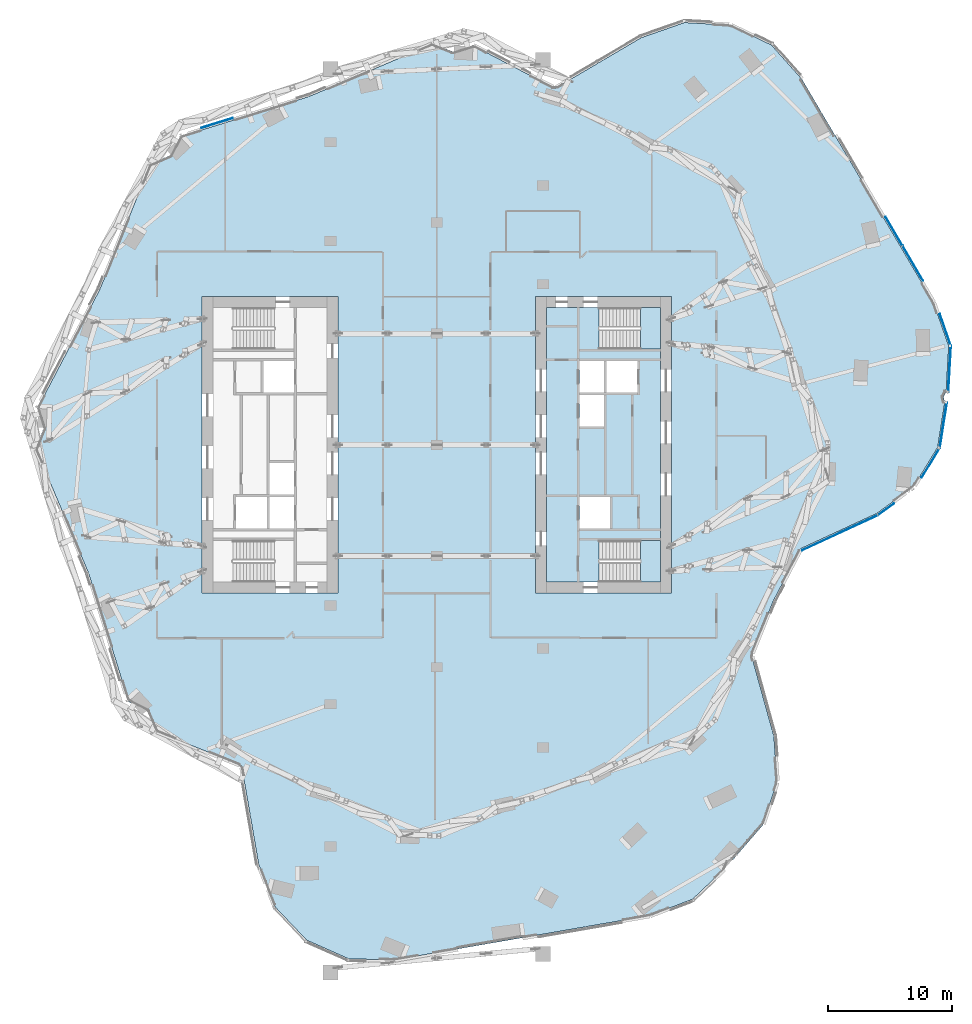
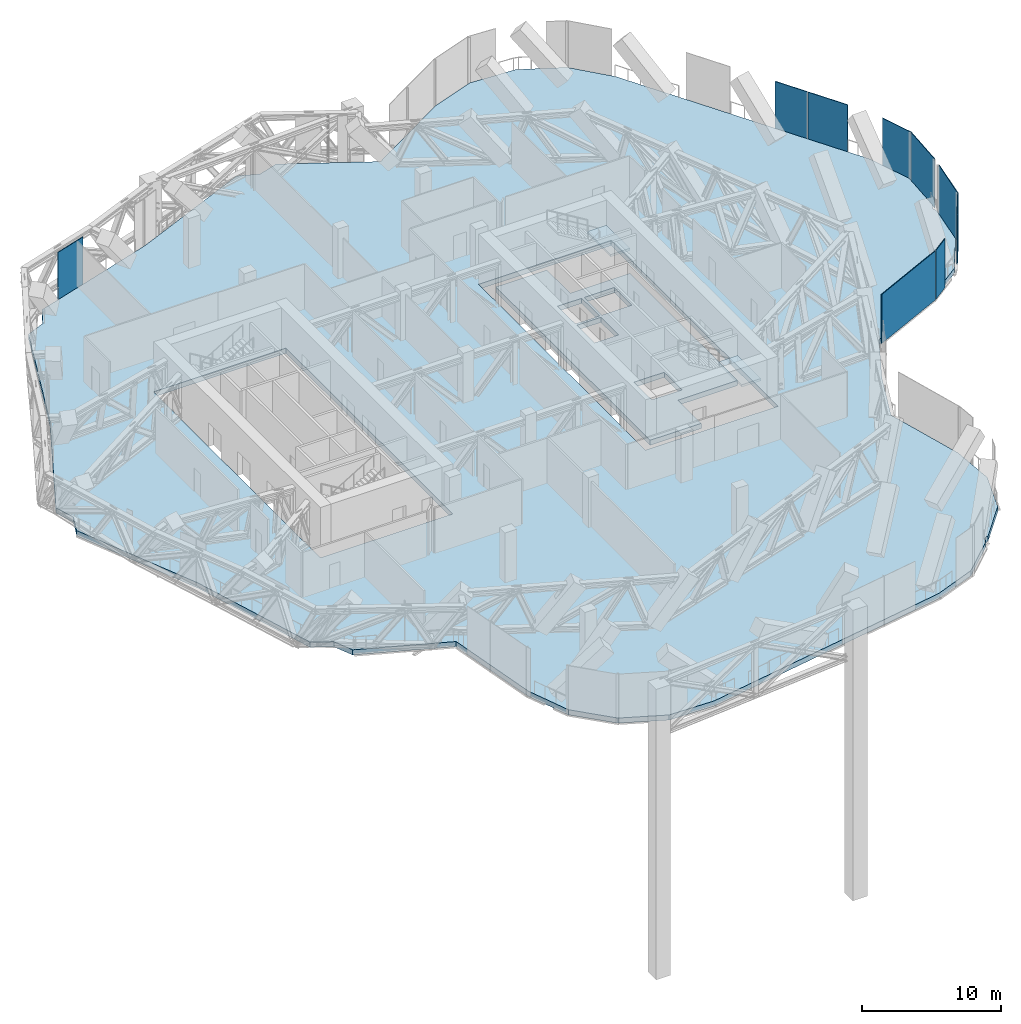
# One storey, part 20 of 31: 9 plates, 4 slabs, 10 elements without a shape of their own.
"""IFC4 building model written with IfcOpenShell, lengths in metres."""

import ifcopenshell
import ifcopenshell.guid

model = None  # the IFC model being written
_history = None  # IfcOwnerHistory: only IFC2X3 demands one
_inside = {}  # id of a spatial element -> (the spatial element, [elements in it])
_under = {}  # id of a project, library or spatial element -> (it, [spatial elements below it])
_declared = {}  # id of a project -> (the project, [libraries it declares])
_typed = {}  # id of a type object -> (the type object, [elements of that type])
_made_of = {}  # id of a material, layer set ... -> (it, [elements and type objects made of it])


def new_model(schema):
    """Start an empty IFC model of exactly this schema.

    Asked for "IFC4X3", IfcOpenShell would pick the latest addendum, in which some entities
    have other attributes; the version numbers below select the first issue.
    IFC2X3 requires an IfcOwnerHistory on every rooted entity: one is made here for all.
    """
    global model, _history
    if schema == "IFC4X3":
        model = ifcopenshell.file(schema_version=(4, 3, 0, 0))
    else:
        model = ifcopenshell.file(schema=schema)
    _inside.clear()
    _under.clear()
    _declared.clear()
    _typed.clear()
    _made_of.clear()
    _history = None
    if model.schema == "IFC2X3":
        org = make("IfcOrganization", Name="unknown")
        user = make(
            "IfcPersonAndOrganization",
            ThePerson=make("IfcPerson", FamilyName="unknown"),
            TheOrganization=org,
        )
        app = make(
            "IfcApplication",
            ApplicationDeveloper=org,
            Version="unknown",
            ApplicationFullName="unknown",
            ApplicationIdentifier="unknown",
        )
        _history = make(
            "IfcOwnerHistory",
            OwningUser=user,
            OwningApplication=app,
            ChangeAction="ADDED",
            CreationDate=0,
        )
    return model


def make(cls, **values):
    """One entity of the class cls with the attributes given. An attribute that is None is left unset."""
    return model.create_entity(
        cls, **{name: value for name, value in values.items() if value is not None}
    )


def rooted(cls, **values):
    """An entity with a GlobalId (a new one), such as an element, a storey or a relation."""
    return make(cls, GlobalId=ifcopenshell.guid.new(), OwnerHistory=_history, **values)


def si_unit(unit_type, name, prefix=None):
    """IfcSIUnit, for example si_unit("LENGTHUNIT", "METRE", prefix="MILLI")."""
    return make("IfcSIUnit", UnitType=unit_type, Prefix=prefix, Name=name)


def assignment(units):
    """IfcUnitAssignment: the units of a project."""
    return None if units is None else make("IfcUnitAssignment", Units=units)


def point(xyz):
    """IfcCartesianPoint."""
    return None if xyz is None else make("IfcCartesianPoint", Coordinates=xyz)


def direction(xyz):
    """IfcDirection."""
    return None if xyz is None else make("IfcDirection", DirectionRatios=xyz)


def frame(location, z_axis=None, x_axis=None):
    """IfcAxis2Placement3D, a coordinate frame: its origin and axes. An axis left out is left unset."""
    return make(
        "IfcAxis2Placement3D",
        Location=point(location),
        Axis=direction(z_axis),
        RefDirection=direction(x_axis),
    )


def frame_2d(location, x_axis=None):
    """IfcAxis2Placement2D, a coordinate frame in the plane: its origin and x axis."""
    return make(
        "IfcAxis2Placement2D", Location=point(location), RefDirection=direction(x_axis)
    )


def origin():
    """The frame at (0, 0, 0) with its axes left unset."""
    return frame((0.0, 0.0, 0.0))


def origin_2d():
    """The frame at (0, 0) in the plane with its x axis left unset."""
    return frame_2d((0.0, 0.0))


def place(relative_to, where):
    """IfcLocalPlacement: puts the frame where relative to a parent placement (None: the world)."""
    return make(
        "IfcLocalPlacement", PlacementRelTo=relative_to, RelativePlacement=where
    )


def context(
    kind, dimensions, precision=None, world=None, true_north=None, identifier=None
):
    """IfcGeometricRepresentationContext, for example the 3D "Model" context."""
    return make(
        "IfcGeometricRepresentationContext",
        ContextIdentifier=identifier,
        ContextType=kind,
        CoordinateSpaceDimension=dimensions,
        Precision=precision,
        WorldCoordinateSystem=world,
        TrueNorth=true_north,
    )


def subcontext(parent, identifier, kind, view, scale=None):
    """IfcGeometricRepresentationSubContext, for example "Body" below "Model"."""
    return make(
        "IfcGeometricRepresentationSubContext",
        ContextIdentifier=identifier,
        ContextType=kind,
        ParentContext=parent,
        TargetScale=scale,
        TargetView=view,
    )


def project(units=None, contexts=None):
    """IfcProject with its units and contexts."""
    return rooted(
        "IfcProject",
        Name="project",
        RepresentationContexts=contexts,
        UnitsInContext=assignment(units),
    )


def spatial(cls, under=None, at=None, **own):
    """A site, building, storey or space (cls), placed at a placement, below another one or the project."""
    s = rooted(cls, ObjectPlacement=at, **own)
    if under is not None:
        _under.setdefault(under.id(), (under, []))[1].append(s)
    return s


def polyline(points):
    """IfcPolyline through the points."""
    return make("IfcPolyline", Points=[point(p) for p in points])


def profile(cls, at=None, kind="AREA", **sizes):
    """A parametric profile (cls). Its sizes go by their IFC names, for example OverallWidth=200.0."""
    return make(cls, ProfileType=kind, Position=at, **sizes)


def rectangle(**sizes):
    """IfcRectangleProfileDef."""
    return profile("IfcRectangleProfileDef", **sizes)


def outline(outer, holes=None, kind="AREA"):
    """IfcArbitraryClosedProfileDef: a profile drawn as a closed curve; with holes, ...WithVoids."""
    if holes is None:
        return make("IfcArbitraryClosedProfileDef", ProfileType=kind, OuterCurve=outer)
    return make(
        "IfcArbitraryProfileDefWithVoids",
        ProfileType=kind,
        OuterCurve=outer,
        InnerCurves=holes,
    )


def extrude(swept, where, along, depth):
    """IfcExtrudedAreaSolid: the profile swept, set in the frame where, extruded along a direction by depth."""
    return make(
        "IfcExtrudedAreaSolid",
        SweptArea=swept,
        Position=where,
        ExtrudedDirection=direction(along),
        Depth=depth,
    )


def shape(context_of_items, identifier, shape_type, items):
    """IfcShapeRepresentation: the items that make up one representation, for example the "Body"."""
    return make(
        "IfcShapeRepresentation",
        ContextOfItems=context_of_items,
        RepresentationIdentifier=identifier,
        RepresentationType=shape_type,
        Items=items,
    )


def material(Name=None, Category=None):
    """IfcMaterial."""
    return make("IfcMaterial", Name=Name, Category=Category)


def layer(
    of_material, thickness, ventilated=None, Name=None, Category=None, Priority=None
):
    """IfcMaterialLayer: one layer of a wall or slab, of a material (None: an air gap)."""
    return make(
        "IfcMaterialLayer",
        Material=of_material,
        LayerThickness=thickness,
        IsVentilated=ventilated,
        Name=Name,
        Category=Category,
        Priority=Priority,
    )


def layer_set(layers, Name=None):
    """IfcMaterialLayerSet."""
    return make("IfcMaterialLayerSet", MaterialLayers=layers, LayerSetName=Name)


def made_of(thing, what):
    """Note that an element or type object is made of a material, layer set ...; save() writes the relation."""
    if what is not None:
        _made_of.setdefault(what.id(), (what, []))[1].append(thing)
    return thing


def type_object(cls, material=None, **own):
    """A type object (cls), such as IfcWallType, which elements share."""
    return made_of(rooted(cls, **own), material)


def element(
    cls,
    number,
    at=None,
    inside=None,
    cuts=None,
    type_object=None,
    material=None,
    context=None,
    identifier="Body",
    shape_type=None,
    held_by="IfcProductDefinitionShape",
    body=None,
    shapes=None,
    **own,
):
    """One element of the class cls, such as IfcWall. Its Tag is "e" and its number.

    at: its placement. inside: the storey or other place that contains it. cuts: it is an
    opening in that element (IfcRelVoidsElement). A single representation is given by context,
    identifier, shape_type and body (its items); several are given by shapes. held_by: the class
    of the entity that holds the representations. save() writes the other relations.
    """
    e = rooted(cls, Tag="e%d" % number, ObjectPlacement=at, **own)
    if body is not None:
        shapes = [shape(context, identifier, shape_type, body)]
    if shapes is not None:
        e.Representation = make(held_by, Representations=shapes)
    if inside is not None:
        _inside.setdefault(inside.id(), (inside, []))[1].append(e)
    if cuts is not None:
        rooted(
            "IfcRelVoidsElement", RelatingBuildingElement=cuts, RelatedOpeningElement=e
        )
    if type_object is not None:
        _typed.setdefault(type_object.id(), (type_object, []))[1].append(e)
    return made_of(e, material)


def aggregate(whole, parts):
    """IfcRelAggregates: a whole, such as a stair, and the parts it consists of."""
    return rooted("IfcRelAggregates", RelatingObject=whole, RelatedObjects=parts)


def save(model, path):
    """Write the relations noted so far, then the file.

    IfcRelAggregates (storeys below a building ...), IfcRelContainedInSpatialStructure (elements
    in a storey), IfcRelDefinesByType, IfcRelAssociatesMaterial and IfcRelDeclares: one each for
    every whole, place, type object, material and project.
    """
    for whole, parts in _under.values():
        aggregate(whole, parts)
    for where, things in _inside.values():
        rooted(
            "IfcRelContainedInSpatialStructure",
            RelatedElements=things,
            RelatingStructure=where,
        )
    for kind, things in _typed.values():
        rooted("IfcRelDefinesByType", RelatedObjects=things, RelatingType=kind)
    for what, things in _made_of.values():
        rooted("IfcRelAssociatesMaterial", RelatedObjects=things, RelatingMaterial=what)
    for by, libraries in _declared.values():
        rooted("IfcRelDeclares", RelatingContext=by, RelatedDefinitions=libraries)
    model.write(path)


model = new_model("IFC4")

# Units and contexts
model_context = context("Model", 3, precision=1e-05, world=origin(), true_north=direction((0.0, 1.0)))
body_context = subcontext(model_context, "Body", "Model", "MODEL_VIEW")
ifc_project = project(units=[si_unit("LENGTHUNIT", "METRE"), si_unit("AREAUNIT", "SQUARE_METRE"), si_unit("VOLUMEUNIT", "CUBIC_METRE"), si_unit("PLANEANGLEUNIT", "RADIAN"), si_unit("MASSUNIT", "GRAM", prefix="KILO")], contexts=[model_context])

# Site, building, storey
site_placement = place(None, origin())
site = spatial("IfcSite", under=ifc_project, at=site_placement, CompositionType="ELEMENT")
building_placement = place(site_placement, origin())
building = spatial("IfcBuilding", under=site, at=building_placement, Name="Orlundy Tower", CompositionType="ELEMENT")
storey_placement = place(building_placement, frame((0.0, 0.0, 271.0)))
storey = spatial("IfcBuildingStorey", under=building, at=storey_placement, Name="L72", CompositionType="ELEMENT", Elevation=271.0)

# Curtain wall, plate
ifc_material_1 = material(Name="Aluminium bronze anodised", Category="aluminium")
curtain_wall_type = type_object("IfcCurtainWallType", Name="CW4 wall", PredefinedType="NOTDEFINED", material=ifc_material_1)
curtain_wall_1_placement = place(storey_placement, origin())
curtain_wall_1 = element("IfcCurtainWall", 1, at=curtain_wall_1_placement, inside=storey, type_object=curtain_wall_type, Name="CW4 run 011", PredefinedType="NOTDEFINED")
ifc_material_2 = material(Name="Louvre aluminium bronze anodised", Category="aluminium")
ifc_layer_1 = layer(ifc_material_2, 0.06005859375)
ifc_layer_set_1 = layer_set([ifc_layer_1], Name="CW4 louvre panel 60")
plate_type = type_object("IfcPlateType", Name="CW4 louvre panel 60", PredefinedType="CURTAIN_PANEL", material=ifc_layer_set_1)
plate_1_placement = place(storey_placement, frame((-17.783203125, 26.0546875, -0.2998046875), z_axis=(0.0, 0.0, 1.0), x_axis=(0.954571042126, 0.297983431644, 0.0)))
plate_1 = element("IfcPlate", 2, at=plate_1_placement, type_object=plate_type, Name="CW4 louvre", PredefinedType="CURTAIN_PANEL", context=body_context, shape_type="SweptSolid", body=[
    extrude(rectangle(XDim=2.64599609375, YDim=0.06005859375, at=origin_2d()), origin(), (0.0, 0.0, 1.0), 4.300048828125),
])
aggregate(curtain_wall_1, [plate_1])

# Curtain wall, plates
curtain_wall_2_placement = place(storey_placement, origin())
curtain_wall_2 = element("IfcCurtainWall", 3, at=curtain_wall_2_placement, inside=storey, type_object=curtain_wall_type, Name="CW4 run 021", PredefinedType="NOTDEFINED")
plate_2_placement = place(storey_placement, frame((37.017578125, 17.288330078125, -0.2998046875), z_axis=(0.0, 0.0, 1.0), x_axis=(0.507531980737, -0.861632919827, 0.0)))
plate_2 = element("IfcPlate", 4, at=plate_2_placement, type_object=plate_type, Name="CW4 louvre", PredefinedType="CURTAIN_PANEL", context=body_context, shape_type="SweptSolid", body=[
    extrude(rectangle(XDim=2.656982421875, YDim=0.06005859375, at=origin_2d()), origin(), (0.0, 0.0, 1.0), 4.300048828125),
])
plate_3_placement = place(storey_placement, frame((38.5498046875, 14.686767578125, -0.2998046875), z_axis=(0.0, 0.0, 1.0), x_axis=(0.507531980737, -0.861632919827, 0.0)))
plate_3 = element("IfcPlate", 5, at=plate_3_placement, type_object=plate_type, Name="CW4 louvre", PredefinedType="CURTAIN_PANEL", context=body_context, shape_type="SweptSolid", body=[
    extrude(rectangle(XDim=3.261474609375, YDim=0.06005859375, at=origin_2d()), origin(), (0.0, 0.0, 1.0), 4.300048828125),
])
aggregate(curtain_wall_2, [plate_2, plate_3])

# Curtain wall, plate
curtain_wall_3_placement = place(storey_placement, origin())
curtain_wall_3 = element("IfcCurtainWall", 6, at=curtain_wall_3_placement, inside=storey, type_object=curtain_wall_type, Name="CW4 run 022", PredefinedType="NOTDEFINED")
plate_4_placement = place(storey_placement, frame((41.1708984375, 9.3154296875, -0.2998046875), z_axis=(0.0, 0.0, 1.0), x_axis=(0.32971337085, -0.944081083956, 0.0)))
plate_4 = element("IfcPlate", 7, at=plate_4_placement, type_object=plate_type, Name="CW4 louvre", PredefinedType="CURTAIN_PANEL", context=body_context, shape_type="SweptSolid", body=[
    extrude(rectangle(XDim=2.71630859375, YDim=0.06005859375, at=origin_2d()), origin(), (0.0, 0.0, 1.0), 4.300048828125),
])
aggregate(curtain_wall_3, [plate_4])

curtain_wall_4_placement = place(storey_placement, origin())
curtain_wall_4 = element("IfcCurtainWall", 8, at=curtain_wall_4_placement, inside=storey, type_object=curtain_wall_type, Name="CW4 run 023", PredefinedType="NOTDEFINED")
plate_5_placement = place(storey_placement, frame((41.51171875, 6.14892578125, -0.2998046875), z_axis=(0.0, 0.0, 1.0), x_axis=(-0.056650299193, -0.998394082315, 0.0)))
plate_5 = element("IfcPlate", 9, at=plate_5_placement, type_object=plate_type, Name="CW4 louvre", PredefinedType="CURTAIN_PANEL", context=body_context, shape_type="SweptSolid", body=[
    extrude(rectangle(XDim=3.774658203125, YDim=0.06005859375, at=origin_2d()), origin(), (0.0, 0.0, 1.0), 4.300048828125),
])
aggregate(curtain_wall_4, [plate_5])

curtain_wall_5_placement = place(storey_placement, origin())
curtain_wall_5 = element("IfcCurtainWall", 10, at=curtain_wall_5_placement, inside=storey, type_object=curtain_wall_type, Name="CW4 run 026", PredefinedType="NOTDEFINED")
plate_6_placement = place(storey_placement, frame((41.008544921875, 1.599609375, -0.2998046875), z_axis=(0.0, 0.0, 1.0), x_axis=(-0.15511748157, -0.987896030416, 0.0)))
plate_6 = element("IfcPlate", 11, at=plate_6_placement, type_object=plate_type, Name="CW4 louvre", PredefinedType="CURTAIN_PANEL", context=body_context, shape_type="SweptSolid", body=[
    extrude(rectangle(XDim=3.774658203125, YDim=0.06005859375, at=origin_2d()), origin(), (0.0, 0.0, 1.0), 4.300048828125),
])
aggregate(curtain_wall_5, [plate_6])

curtain_wall_6_placement = place(storey_placement, origin())
curtain_wall_6 = element("IfcCurtainWall", 12, at=curtain_wall_6_placement, inside=storey, type_object=curtain_wall_type, Name="CW4 run 027", PredefinedType="NOTDEFINED")
plate_7_placement = place(storey_placement, frame((39.98681640625, -1.457763671875, -0.2998046875), z_axis=(0.0, 0.0, 1.0), x_axis=(-0.521264467859, -0.85339519248, 0.0)))
plate_7 = element("IfcPlate", 13, at=plate_7_placement, type_object=plate_type, Name="CW4 louvre", PredefinedType="CURTAIN_PANEL", context=body_context, shape_type="SweptSolid", body=[
    extrude(rectangle(XDim=2.796142578125, YDim=0.06005859375, at=origin_2d()), origin(), (0.0, 0.0, 1.0), 4.300048828125),
])
aggregate(curtain_wall_6, [plate_7])

curtain_wall_7_placement = place(storey_placement, origin())
curtain_wall_7 = element("IfcCurtainWall", 14, at=curtain_wall_7_placement, inside=storey, type_object=curtain_wall_type, Name="CW4 run 028", PredefinedType="NOTDEFINED")
plate_8_placement = place(storey_placement, frame((36.375, -5.21533203125, -0.2998046875), z_axis=(0.0, 0.0, 1.0), x_axis=(-0.808117234179, -0.58902167687, 0.0)))
plate_8 = element("IfcPlate", 15, at=plate_8_placement, type_object=plate_type, Name="CW4 louvre", PredefinedType="CURTAIN_PANEL", context=body_context, shape_type="SweptSolid", body=[
    extrude(rectangle(XDim=1.5791015625, YDim=0.06005859375, at=origin_2d()), origin(), (0.0, 0.0, 1.0), 4.300048828125),
])
aggregate(curtain_wall_7, [plate_8])

curtain_wall_8_placement = place(storey_placement, origin())
curtain_wall_8 = element("IfcCurtainWall", 16, at=curtain_wall_8_placement, inside=storey, type_object=curtain_wall_type, Name="CW4 run 029", PredefinedType="NOTDEFINED")
plate_9_placement = place(storey_placement, frame((32.638916015625, -7.120361328125, -0.2998046875), z_axis=(0.0, 0.0, 1.0), x_axis=(-0.907549103061, -0.419945979305, 0.0)))
plate_9 = element("IfcPlate", 17, at=plate_9_placement, type_object=plate_type, Name="CW4 louvre", PredefinedType="CURTAIN_PANEL", context=body_context, shape_type="SweptSolid", body=[
    extrude(rectangle(XDim=6.713134765625, YDim=0.06005859375, at=origin_2d()), origin(), (0.0, 0.0, 1.0), 4.300048828125),
])
aggregate(curtain_wall_8, [plate_9])

# Slab
ifc_material_3 = material(Name="Concrete C50/60", Category="concrete")
ifc_layer_2 = layer(ifc_material_3, 0.449951171875)
ifc_layer_set_2 = layer_set([ifc_layer_2], Name="Core Floor Slab 450")
slab_type_1 = type_object("IfcSlabType", Name="Core Floor Slab 450", PredefinedType="FLOOR", material=ifc_layer_set_2)
slab_1_placement = place(storey_placement, frame((0.0, 0.0, -0.449951171875)))
element("IfcSlab", 18, at=slab_1_placement, inside=storey, type_object=slab_type_1, Name="Core floor E54", PredefinedType="FLOOR", context=body_context, shape_type="SweptSolid", body=[
    extrude(outline(polyline([(18.10009765625, -7.75), (13.14501953125, -7.75), (13.14501953125, -11.10009765625), (8.89990234375, -11.10009765625), (8.89990234375, 11.10009765625), (13.14501953125, 11.10009765625), (13.14501953125, 7.75), (18.10009765625, 7.75), (18.10009765625, -7.75)]), holes=[polyline([(13.5400390625, 4.22509765625), (13.5400390625, 6.77490234375), (11.5400390625, 6.77490234375), (11.5400390625, 4.22509765625), (13.5400390625, 4.22509765625)]), polyline([(13.739990234375, 4.22509765625), (16.239990234375, 4.22509765625), (16.239990234375, 6.77490234375), (13.739990234375, 6.77490234375), (13.739990234375, 4.22509765625)]), polyline([(11.5400390625, 4.02490234375), (11.5400390625, 1.47509765625), (13.5400390625, 1.47509765625), (13.5400390625, 4.02490234375), (11.5400390625, 4.02490234375)]), polyline([(14.0400390625, -4.22509765625), (11.5400390625, -4.22509765625), (11.5400390625, -6.77490234375), (14.0400390625, -6.77490234375), (14.0400390625, -4.22509765625)])]), origin(), (0.0, 0.0, 1.0), 0.449951171875),
])

# Stair, slab
ifc_material_4 = material(Name="Concrete C50/60", Category="concrete")
stair_type = type_object("IfcStairType", Name="Exit Stair 26 risers", PredefinedType="HALF_TURN_STAIR", material=ifc_material_4)
stair_1_placement = place(storey_placement, origin())
stair_1 = element("IfcStair", 19, at=stair_1_placement, inside=storey, type_object=stair_type, Name="L72 Exit Stair ST-E1", PredefinedType="HALF_TURN_STAIR")
ifc_material_5 = material(Name="Concrete C50/60", Category="concrete")
ifc_layer_3 = layer(ifc_material_5, 0.199951171875)
ifc_layer_set_3 = layer_set([ifc_layer_3], Name="Exit Stair Landing")
slab_type_2 = type_object("IfcSlabType", Name="Exit Stair Landing", PredefinedType="LANDING", material=ifc_layer_set_3)
slab_2_placement = place(storey_placement, frame((0.0, 0.0, 2.0)))
slab_2 = element("IfcSlab", 20, at=slab_2_placement, type_object=slab_type_2, Name="ST-E1 landing 1", PredefinedType="LANDING", context=body_context, shape_type="SweptSolid", body=[
    extrude(outline(polyline([(16.5, -11.10009765625), (18.10009765625, -11.10009765625), (18.10009765625, -7.75), (16.5, -7.75), (16.5, -11.10009765625)])), origin(), (0.0, 0.0, 1.0), 0.199951171875),
])
aggregate(stair_1, [slab_2])

stair_2_placement = place(storey_placement, origin())
stair_2 = element("IfcStair", 21, at=stair_2_placement, inside=storey, type_object=stair_type, Name="L72 Exit Stair ST-E2", PredefinedType="HALF_TURN_STAIR")
slab_3_placement = place(storey_placement, frame((0.0, 0.0, 2.0)))
slab_3 = element("IfcSlab", 22, at=slab_3_placement, type_object=slab_type_2, Name="ST-E2 landing 1", PredefinedType="LANDING", context=body_context, shape_type="SweptSolid", body=[
    extrude(outline(polyline([(16.5, 7.75), (18.10009765625, 7.75), (18.10009765625, 11.10009765625), (16.5, 11.10009765625), (16.5, 7.75)])), origin(), (0.0, 0.0, 1.0), 0.199951171875),
])
aggregate(stair_2, [slab_3])

# Slab
ifc_material_6 = material(Name="Concrete C45/55", Category="concrete")
ifc_layer_4 = layer(ifc_material_6, 0.449951171875)
ifc_layer_set_4 = layer_set([ifc_layer_4], Name="PLANT FLOOR SLAB 450 C45/55")
slab_type_3 = type_object("IfcSlabType", Name="PLANT FLOOR SLAB 450 C45/55", PredefinedType="FLOOR", material=ifc_layer_set_4)
slab_4_placement = place(storey_placement, frame((0.0, 0.0, -0.449951171875)))
element("IfcSlab", 23, at=slab_4_placement, inside=storey, type_object=slab_type_3, Name="Floor slab L72", PredefinedType="FLOOR", context=body_context, shape_type="SweptSolid", body=[
    extrude(outline(polyline([(-22.760009765625, -23.160888671875), (-23.426025390625, -21.591064453125), (-24.93505859375, -20.800048828125), (-28.194091796875, -10.360107421875), (-32.470947265625, -0.282958984375), (-31.83203125, 1.298095703125), (-32.340087890625, 2.924072265625), (-27.261962890625, 12.60888671875), (-23.160888671875, 22.760009765625), (-21.591064453125, 23.426025390625), (-20.800048828125, 24.93505859375), (-10.360107421875, 28.194091796875), (-0.282958984375, 32.470947265625), (1.298095703125, 31.83203125), (2.924072265625, 32.340087890625), (9.575927734375, 28.85302734375), (16.56005859375, 32.966064453125), (20.05908203125, 34.18798828125), (23.760009765625, 33.97802734375), (27.09912109375, 32.367919921875), (29.56689453125, 29.60205078125), (40.22509765625, 11.508056640625), (41.447021484375, 8.009033203125), (41.237060546875, 4.30810546875), (41.027099609375, 3.873046875), (41.1279296875, 3.45703125), (40.552978515625, -0.205078125), (38.62109375, -3.367919921875), (35.6259765625, -5.551025390625), (29.468994140625, -8.39990234375), (27.260009765625, -12.613037109375), (25.47705078125, -17.027099609375), (27.2900390625, -23.56396484375), (27.56396484375, -27.260986328125), (26.404052734375, -30.781005859375), (23.98388671875, -33.589111328125), (23.60205078125, -33.781982421875), (23.406005859375, -34.222900390625), (20.720947265625, -36.778076171875), (17.261962890625, -38.112060546875), (-3.428955078125, -41.697998046875), (-7.135009765625, -41.60693359375), (-10.52294921875, -40.10400390625), (-13.0791015625, -37.4189453125), (-14.412109375, -33.9599609375), (-15.7958984375, -25.97412109375), (-22.760009765625, -23.160888671875)]), holes=[polyline([(-8.0, -12.0), (-8.0, 12.0), (-19.0, 12.0), (-19.0, -12.0), (-8.0, -12.0)]), polyline([(19.0, -12.0), (19.0, 12.0), (8.0, 12.0), (8.0, -12.0), (19.0, -12.0)])]), origin(), (0.0, 0.0, 1.0), 0.449951171875),
])

save(model, "model.ifc")
